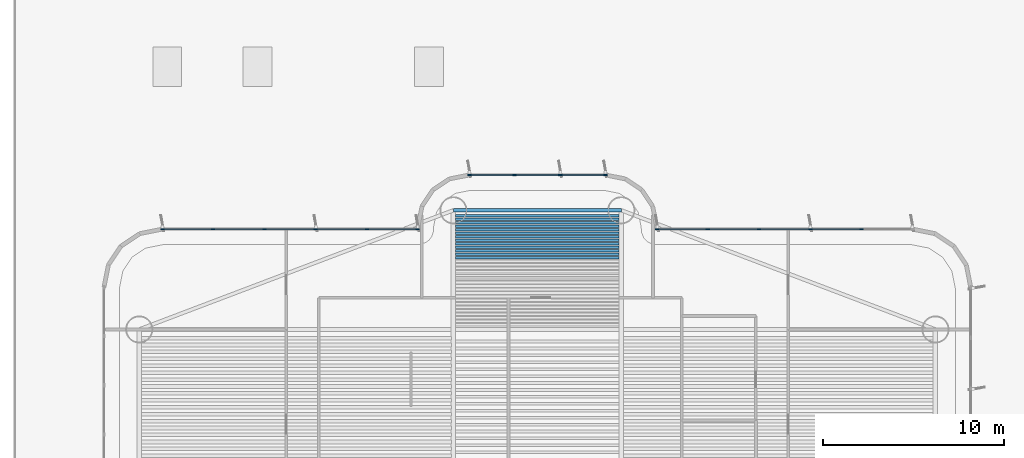
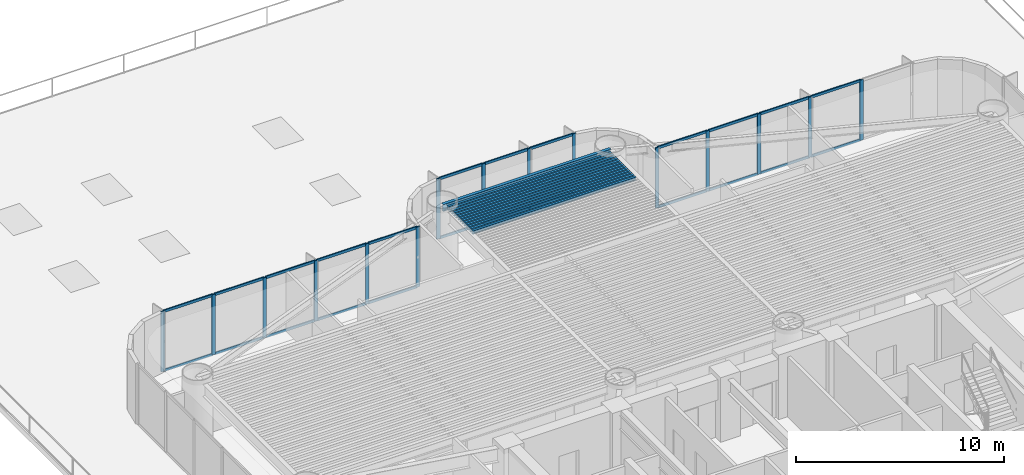
# One storey, part 7 of 17: 39 members, 14 beams, 3 elements without a shape of their own.
"""IFC4 building model written with IfcOpenShell, lengths in metres."""

from ifc_helpers import new_model, si_unit, direction, frame, origin, origin_2d, place, context, subcontext, project, spatial, rectangle, i_section, extrude, source, transform, mapped, material, layer, layer_set, material_profile, profile_set, type_object, element, aggregate, save


model = new_model("IFC4")

# Units and contexts
model_context = context("Model", 3, precision=1e-05, world=origin(), true_north=direction((0.0, 1.0)))
body_context = subcontext(model_context, "Body", "Model", "MODEL_VIEW")
ifc_project = project(units=[si_unit("LENGTHUNIT", "METRE"), si_unit("AREAUNIT", "SQUARE_METRE"), si_unit("VOLUMEUNIT", "CUBIC_METRE"), si_unit("PLANEANGLEUNIT", "RADIAN"), si_unit("MASSUNIT", "GRAM", prefix="KILO")], contexts=[model_context])

# Site, building, storey
site_placement = place(None, origin())
site = spatial("IfcSite", under=ifc_project, at=site_placement, CompositionType="ELEMENT")
building_placement = place(site_placement, origin())
building = spatial("IfcBuilding", under=site, at=building_placement, Name="Brelvock Crest Care Tower", CompositionType="ELEMENT")
storey_placement = place(building_placement, frame((0.0, 0.0, 27.0)))
storey = spatial("IfcBuildingStorey", under=building, at=storey_placement, Name="L06", CompositionType="ELEMENT", Elevation=27.0)

# Beams
ifc_material_1 = material(Name="Steel Grade 350", Category="steel")
ifc_material_profile_1 = material_profile(ifc_material_1, i_section(OverallWidth=0.177978515625, OverallDepth=0.406005859375, WebThickness=0.0078125, FlangeThickness=0.0126953125, FilletRadius=0.011474609375, at=origin_2d()), Name="410UB59.7")
ifc_profile_set_1 = profile_set([ifc_material_profile_1], Name="Steel Grade 350")
beam_type_1 = type_object("IfcBeamType", Name="BM-SP1", PredefinedType="SPANDREL", material=ifc_profile_set_1)
shared_shape_1 = source(origin(), body_context, "Body", "SweptSolid", [
    extrude(i_section(OverallWidth=0.177978515625, OverallDepth=0.406005859375, WebThickness=0.0078125, FlangeThickness=0.0126953125, FilletRadius=0.011474609375, at=origin_2d()), origin(), (0.0, 0.0, 1.0), 9.2998046875),
])
beam_placement = place(storey_placement, frame((31.35009765625, 37.050048828125, 3.326904296875), z_axis=(1.0, 0.0, 0.0), x_axis=(0.0, 1.0, 0.0)))
element("IfcBeam", 1, at=beam_placement, inside=storey, type_object=beam_type_1, Name="BM-TWR-L06-08", PredefinedType="SPANDREL", context=body_context, shape_type="MappedRepresentation", body=[
    mapped(shared_shape_1, transform((0.0, 0.0, 0.0), x_axis=(1.0, 0.0, 0.0), y_axis=(0.0, 1.0, 0.0), z_axis=(0.0, 0.0, 1.0), scale=1.0)),
])
ifc_material_profile_2 = material_profile(ifc_material_1, i_section(OverallWidth=0.134033203125, OverallDepth=0.20703125, WebThickness=0.00634765625, FlangeThickness=0.009521484375, FilletRadius=0.0087890625, at=origin_2d()), Name="200UB29.8")
ifc_profile_set_2 = profile_set([ifc_material_profile_2], Name="Steel Grade 350")
beam_type_2 = type_object("IfcBeamType", Name="BM-J4", PredefinedType="JOIST", material=ifc_profile_set_2)
shared_shape_2 = source(origin(), body_context, "Body", "SweptSolid", [
    extrude(i_section(OverallWidth=0.134033203125, OverallDepth=0.20703125, WebThickness=0.00634765625, FlangeThickness=0.009521484375, FilletRadius=0.0087890625, at=origin_2d()), origin(), (0.0, 0.0, 1.0), 9.06982421875),
])
for number, where, z_axis, x_axis, name in (
    (2, (31.465087890625, 34.413330078125, 3.426513671875), (1.0, 0.0, 0.0), (0.0, 1.0, 0.0), "BM-JN-L06-20"),
    (3, (31.465087890625, 34.60791015625, 3.426513671875), (1.0, 0.0, 0.0), (0.0, 1.0, 0.0), "BM-JN-L06-21"),
    (4, (31.465087890625, 34.802734375, 3.426513671875), (1.0, 0.0, 0.0), (0.0, 1.0, 0.0), "BM-JN-L06-22"),
    (5, (31.465087890625, 34.997314453125, 3.426513671875), (1.0, 0.0, 0.0), (0.0, 1.0, 0.0), "BM-JN-L06-23"),
    (6, (31.465087890625, 35.192138671875, 3.426513671875), (1.0, 0.0, 0.0), (0.0, 1.0, 0.0), "BM-JN-L06-24"),
    (7, (31.465087890625, 35.38671875, 3.426513671875), (1.0, 0.0, 0.0), (0.0, 1.0, 0.0), "BM-JN-L06-25"),
    (8, (31.465087890625, 35.58154296875, 3.426513671875), (1.0, 0.0, 0.0), (0.0, 1.0, 0.0), "BM-JN-L06-26"),
    (9, (31.465087890625, 35.776123046875, 3.426513671875), (1.0, 0.0, 0.0), (0.0, 1.0, 0.0), "BM-JN-L06-27"),
    (10, (31.465087890625, 35.970947265625, 3.426513671875), (1.0, 0.0, 0.0), (0.0, 1.0, 0.0), "BM-JN-L06-28"),
    (11, (31.465087890625, 36.16552734375, 3.426513671875), (1.0, 0.0, 0.0), (0.0, 1.0, 0.0), "BM-JN-L06-29"),
    (12, (31.465087890625, 36.3603515625, 3.426513671875), (1.0, 0.0, 0.0), (0.0, 1.0, 0.0), "BM-JN-L06-30"),
    (13, (31.465087890625, 36.554931640625, 3.426513671875), (1.0, 0.0, 0.0), (0.0, 1.0, 0.0), "BM-JN-L06-31"),
    (14, (31.465087890625, 36.749755859375, 3.426513671875), (1.0, 0.0, 0.0), (0.0, 1.0, 0.0), "BM-JN-L06-32"),
):
    element("IfcBeam", number, at=place(storey_placement, frame(where, z_axis=z_axis, x_axis=x_axis)), inside=storey, type_object=beam_type_2, Name=name, PredefinedType="JOIST", context=body_context, shape_type="MappedRepresentation", body=[
        mapped(shared_shape_2, transform((0.0, 0.0, 0.0), x_axis=(1.0, 0.0, 0.0), y_axis=(0.0, 1.0, 0.0), z_axis=(0.0, 0.0, 1.0), scale=1.0)),
    ])

# Curtain wall, members
ifc_material_2 = material(Name="Dark Glass Double Glazed Low-E", Category="glass")
ifc_layer = layer(ifc_material_2, 0.195068359375, Name="CWS-2")
ifc_layer_set = layer_set([ifc_layer], Name="Dark Glass Double Glazed Low-E")
curtain_wall_type = type_object("IfcCurtainWallType", Name="CWS-2", PredefinedType="NOTDEFINED", material=ifc_layer_set)
curtain_wall_1_placement = place(storey_placement, origin())
curtain_wall_1 = element("IfcCurtainWall", 15, at=curtain_wall_1_placement, inside=storey, type_object=curtain_wall_type, Name="L06 Curtain Wall E18", PredefinedType="NOTDEFINED")
ifc_material_3 = material(Name="Aluminium 6063-T6", Category="aluminium")
ifc_material_profile_3 = material_profile(ifc_material_3, rectangle(XDim=0.06494140625, YDim=0.199951171875, at=origin_2d()), Name="ALU65x200")
ifc_profile_set_3 = profile_set([ifc_material_profile_3], Name="Aluminium 6063-T6")
member_type_1 = type_object("IfcMemberType", Name="CWM-1", PredefinedType="MULLION", material=ifc_profile_set_3)
shared_shape_3 = source(origin(), body_context, "Body", "SweptSolid", [
    extrude(rectangle(XDim=0.06494140625, YDim=0.199951171875, at=origin_2d()), origin(), (0.0, 0.0, 1.0), 3.530029296875),
])
member_1_placement = place(storey_placement, frame((15.232421875, 36.0, 0.0), z_axis=(0.0, 0.0, 1.0), x_axis=(0.0, 1.0, 0.0)))
member_1 = element("IfcMember", 16, at=member_1_placement, type_object=member_type_1, Name="CW-2 mullion 1", PredefinedType="MULLION", context=body_context, shape_type="MappedRepresentation", body=[
    mapped(shared_shape_3, transform((0.0, 0.0, 0.0), x_axis=(1.0, 0.0, 0.0), y_axis=(0.0, 1.0, 0.0), z_axis=(0.0, 0.0, 1.0), scale=1.0)),
])
member_2_placement = place(storey_placement, frame((18.0400390625, 36.0, 0.0), z_axis=(0.0, 0.0, 1.0), x_axis=(0.0, 1.0, 0.0)))
member_2 = element("IfcMember", 17, at=member_2_placement, type_object=member_type_1, Name="CW-2 mullion 2", PredefinedType="MULLION", context=body_context, shape_type="MappedRepresentation", body=[
    mapped(shared_shape_3, transform((0.0, 0.0, 0.0), x_axis=(1.0, 0.0, 0.0), y_axis=(0.0, 1.0, 0.0), z_axis=(0.0, 0.0, 1.0), scale=1.0)),
])
member_3_placement = place(storey_placement, frame((20.8798828125, 36.0, 0.0), z_axis=(0.0, 0.0, 1.0), x_axis=(0.0, 1.0, 0.0)))
member_3 = element("IfcMember", 18, at=member_3_placement, type_object=member_type_1, Name="CW-2 mullion 3", PredefinedType="MULLION", context=body_context, shape_type="MappedRepresentation", body=[
    mapped(shared_shape_3, transform((0.0, 0.0, 0.0), x_axis=(1.0, 0.0, 0.0), y_axis=(0.0, 1.0, 0.0), z_axis=(0.0, 0.0, 1.0), scale=1.0)),
])
member_4_placement = place(storey_placement, frame((23.719970703125, 36.0, 0.0), z_axis=(0.0, 0.0, 1.0), x_axis=(0.0, 1.0, 0.0)))
member_4 = element("IfcMember", 19, at=member_4_placement, type_object=member_type_1, Name="CW-2 mullion 4", PredefinedType="MULLION", context=body_context, shape_type="MappedRepresentation", body=[
    mapped(shared_shape_3, transform((0.0, 0.0, 0.0), x_axis=(1.0, 0.0, 0.0), y_axis=(0.0, 1.0, 0.0), z_axis=(0.0, 0.0, 1.0), scale=1.0)),
])
member_5_placement = place(storey_placement, frame((26.56005859375, 36.0, 0.0), z_axis=(0.0, 0.0, 1.0), x_axis=(0.0, 1.0, 0.0)))
member_5 = element("IfcMember", 20, at=member_5_placement, type_object=member_type_1, Name="CW-2 mullion 5", PredefinedType="MULLION", context=body_context, shape_type="MappedRepresentation", body=[
    mapped(shared_shape_3, transform((0.0, 0.0, 0.0), x_axis=(1.0, 0.0, 0.0), y_axis=(0.0, 1.0, 0.0), z_axis=(0.0, 0.0, 1.0), scale=1.0)),
])
member_6_placement = place(storey_placement, frame((29.367431640625, 36.0, 0.0), z_axis=(0.0, 0.0, 1.0), x_axis=(0.0, 1.0, 0.0)))
member_6 = element("IfcMember", 21, at=member_6_placement, type_object=member_type_1, Name="CW-2 mullion 6", PredefinedType="MULLION", context=body_context, shape_type="MappedRepresentation", body=[
    mapped(shared_shape_3, transform((0.0, 0.0, 0.0), x_axis=(1.0, 0.0, 0.0), y_axis=(0.0, 1.0, 0.0), z_axis=(0.0, 0.0, 1.0), scale=1.0)),
])

curtain_wall_2_placement = place(storey_placement, origin())
curtain_wall_2 = element("IfcCurtainWall", 22, at=curtain_wall_2_placement, inside=storey, type_object=curtain_wall_type, Name="L06 Curtain Wall E24", PredefinedType="NOTDEFINED")
member_7_placement = place(storey_placement, frame((32.232421875, 39.0, 0.0), z_axis=(0.0, 0.0, 1.0), x_axis=(0.0, 1.0, 0.0)))
member_7 = element("IfcMember", 23, at=member_7_placement, type_object=member_type_1, Name="CW-2 mullion 1", PredefinedType="MULLION", context=body_context, shape_type="MappedRepresentation", body=[
    mapped(shared_shape_3, transform((0.0, 0.0, 0.0), x_axis=(1.0, 0.0, 0.0), y_axis=(0.0, 1.0, 0.0), z_axis=(0.0, 0.0, 1.0), scale=1.0)),
])
member_8_placement = place(storey_placement, frame((34.7333984375, 39.0, 0.0), z_axis=(0.0, 0.0, 1.0), x_axis=(0.0, 1.0, 0.0)))
member_8 = element("IfcMember", 24, at=member_8_placement, type_object=member_type_1, Name="CW-2 mullion 2", PredefinedType="MULLION", context=body_context, shape_type="MappedRepresentation", body=[
    mapped(shared_shape_3, transform((0.0, 0.0, 0.0), x_axis=(1.0, 0.0, 0.0), y_axis=(0.0, 1.0, 0.0), z_axis=(0.0, 0.0, 1.0), scale=1.0)),
])
member_9_placement = place(storey_placement, frame((37.2666015625, 39.0, 0.0), z_axis=(0.0, 0.0, 1.0), x_axis=(0.0, 1.0, 0.0)))
member_9 = element("IfcMember", 25, at=member_9_placement, type_object=member_type_1, Name="CW-2 mullion 3", PredefinedType="MULLION", context=body_context, shape_type="MappedRepresentation", body=[
    mapped(shared_shape_3, transform((0.0, 0.0, 0.0), x_axis=(1.0, 0.0, 0.0), y_axis=(0.0, 1.0, 0.0), z_axis=(0.0, 0.0, 1.0), scale=1.0)),
])
member_10_placement = place(storey_placement, frame((39.767578125, 39.0, 0.0), z_axis=(0.0, 0.0, 1.0), x_axis=(0.0, 1.0, 0.0)))
member_10 = element("IfcMember", 26, at=member_10_placement, type_object=member_type_1, Name="CW-2 mullion 4", PredefinedType="MULLION", context=body_context, shape_type="MappedRepresentation", body=[
    mapped(shared_shape_3, transform((0.0, 0.0, 0.0), x_axis=(1.0, 0.0, 0.0), y_axis=(0.0, 1.0, 0.0), z_axis=(0.0, 0.0, 1.0), scale=1.0)),
])

curtain_wall_3_placement = place(storey_placement, origin())
curtain_wall_3 = element("IfcCurtainWall", 27, at=curtain_wall_3_placement, inside=storey, type_object=curtain_wall_type, Name="L06 Curtain Wall E30", PredefinedType="NOTDEFINED")
member_11_placement = place(storey_placement, frame((42.632568359375, 36.0, 0.0), z_axis=(0.0, 0.0, 1.0), x_axis=(0.0, 1.0, 0.0)))
member_11 = element("IfcMember", 28, at=member_11_placement, type_object=member_type_1, Name="CW-2 mullion 1", PredefinedType="MULLION", context=body_context, shape_type="MappedRepresentation", body=[
    mapped(shared_shape_3, transform((0.0, 0.0, 0.0), x_axis=(1.0, 0.0, 0.0), y_axis=(0.0, 1.0, 0.0), z_axis=(0.0, 0.0, 1.0), scale=1.0)),
])
member_12_placement = place(storey_placement, frame((45.43994140625, 36.0, 0.0), z_axis=(0.0, 0.0, 1.0), x_axis=(0.0, 1.0, 0.0)))
member_12 = element("IfcMember", 29, at=member_12_placement, type_object=member_type_1, Name="CW-2 mullion 2", PredefinedType="MULLION", context=body_context, shape_type="MappedRepresentation", body=[
    mapped(shared_shape_3, transform((0.0, 0.0, 0.0), x_axis=(1.0, 0.0, 0.0), y_axis=(0.0, 1.0, 0.0), z_axis=(0.0, 0.0, 1.0), scale=1.0)),
])
member_13_placement = place(storey_placement, frame((48.280029296875, 36.0, 0.0), z_axis=(0.0, 0.0, 1.0), x_axis=(0.0, 1.0, 0.0)))
member_13 = element("IfcMember", 30, at=member_13_placement, type_object=member_type_1, Name="CW-2 mullion 3", PredefinedType="MULLION", context=body_context, shape_type="MappedRepresentation", body=[
    mapped(shared_shape_3, transform((0.0, 0.0, 0.0), x_axis=(1.0, 0.0, 0.0), y_axis=(0.0, 1.0, 0.0), z_axis=(0.0, 0.0, 1.0), scale=1.0)),
])
member_14_placement = place(storey_placement, frame((51.1201171875, 36.0, 0.0), z_axis=(0.0, 0.0, 1.0), x_axis=(0.0, 1.0, 0.0)))
member_14 = element("IfcMember", 31, at=member_14_placement, type_object=member_type_1, Name="CW-2 mullion 4", PredefinedType="MULLION", context=body_context, shape_type="MappedRepresentation", body=[
    mapped(shared_shape_3, transform((0.0, 0.0, 0.0), x_axis=(1.0, 0.0, 0.0), y_axis=(0.0, 1.0, 0.0), z_axis=(0.0, 0.0, 1.0), scale=1.0)),
])
member_15_placement = place(storey_placement, frame((53.9599609375, 36.0, 0.0), z_axis=(0.0, 0.0, 1.0), x_axis=(0.0, 1.0, 0.0)))
member_15 = element("IfcMember", 32, at=member_15_placement, type_object=member_type_1, Name="CW-2 mullion 5", PredefinedType="MULLION", context=body_context, shape_type="MappedRepresentation", body=[
    mapped(shared_shape_3, transform((0.0, 0.0, 0.0), x_axis=(1.0, 0.0, 0.0), y_axis=(0.0, 1.0, 0.0), z_axis=(0.0, 0.0, 1.0), scale=1.0)),
])

# Member
ifc_material_profile_4 = material_profile(ifc_material_3, rectangle(XDim=0.06494140625, YDim=0.14990234375, at=origin_2d()), Name="ALU65x150")
ifc_profile_set_4 = profile_set([ifc_material_profile_4], Name="Aluminium 6063-T6")
member_type_2 = type_object("IfcMemberType", Name="CWT-1", PredefinedType="USERDEFINED", material=ifc_profile_set_4)
shared_shape_4 = source(origin(), body_context, "Body", "SweptSolid", [
    extrude(rectangle(XDim=0.06494140625, YDim=0.14990234375, at=origin_2d()), origin(), (0.0, 0.0, 1.0), 2.74267578125),
])
member_16_placement = place(storey_placement, frame((15.264892578125, 36.0, 0.032470703125), z_axis=(1.0, 0.0, 0.0), x_axis=(0.0, 1.0, 0.0)))
member_16 = element("IfcMember", 33, at=member_16_placement, type_object=member_type_2, Name="CW-2 transom 1.1", ObjectType="TRANSOM", PredefinedType="USERDEFINED", context=body_context, shape_type="MappedRepresentation", body=[
    mapped(shared_shape_4, transform((0.0, 0.0, 0.0), x_axis=(1.0, 0.0, 0.0), y_axis=(0.0, 1.0, 0.0), z_axis=(0.0, 0.0, 1.0), scale=1.0)),
])

member_17_placement = place(storey_placement, frame((15.264892578125, 36.0, 3.49755859375), z_axis=(1.0, 0.0, 0.0), x_axis=(0.0, 1.0, 0.0)))
member_17 = element("IfcMember", 34, at=member_17_placement, type_object=member_type_2, Name="CW-2 transom 1.2", ObjectType="TRANSOM", PredefinedType="USERDEFINED", context=body_context, shape_type="MappedRepresentation", body=[
    mapped(shared_shape_4, transform((0.0, 0.0, 0.0), x_axis=(1.0, 0.0, 0.0), y_axis=(0.0, 1.0, 0.0), z_axis=(0.0, 0.0, 1.0), scale=1.0)),
])

shared_shape_5 = source(origin(), body_context, "Body", "SweptSolid", [
    extrude(rectangle(XDim=0.06494140625, YDim=0.14990234375, at=origin_2d()), origin(), (0.0, 0.0, 1.0), 2.77490234375),
])
member_18_placement = place(storey_placement, frame((18.072509765625, 36.0, 0.032470703125), z_axis=(1.0, 0.0, 0.0), x_axis=(0.0, 1.0, 0.0)))
member_18 = element("IfcMember", 35, at=member_18_placement, type_object=member_type_2, Name="CW-2 transom 2.1", ObjectType="TRANSOM", PredefinedType="USERDEFINED", context=body_context, shape_type="MappedRepresentation", body=[
    mapped(shared_shape_5, transform((0.0, 0.0, 0.0), x_axis=(1.0, 0.0, 0.0), y_axis=(0.0, 1.0, 0.0), z_axis=(0.0, 0.0, 1.0), scale=1.0)),
])

member_19_placement = place(storey_placement, frame((18.072509765625, 36.0, 3.49755859375), z_axis=(1.0, 0.0, 0.0), x_axis=(0.0, 1.0, 0.0)))
member_19 = element("IfcMember", 36, at=member_19_placement, type_object=member_type_2, Name="CW-2 transom 2.2", ObjectType="TRANSOM", PredefinedType="USERDEFINED", context=body_context, shape_type="MappedRepresentation", body=[
    mapped(shared_shape_5, transform((0.0, 0.0, 0.0), x_axis=(1.0, 0.0, 0.0), y_axis=(0.0, 1.0, 0.0), z_axis=(0.0, 0.0, 1.0), scale=1.0)),
])

member_20_placement = place(storey_placement, frame((20.91259765625, 36.0, 0.032470703125), z_axis=(1.0, 0.0, 0.0), x_axis=(0.0, 1.0, 0.0)))
member_20 = element("IfcMember", 37, at=member_20_placement, type_object=member_type_2, Name="CW-2 transom 3.1", ObjectType="TRANSOM", PredefinedType="USERDEFINED", context=body_context, shape_type="MappedRepresentation", body=[
    mapped(shared_shape_5, transform((0.0, 0.0, 0.0), x_axis=(1.0, 0.0, 0.0), y_axis=(0.0, 1.0, 0.0), z_axis=(0.0, 0.0, 1.0), scale=1.0)),
])

member_21_placement = place(storey_placement, frame((20.91259765625, 36.0, 3.49755859375), z_axis=(1.0, 0.0, 0.0), x_axis=(0.0, 1.0, 0.0)))
member_21 = element("IfcMember", 38, at=member_21_placement, type_object=member_type_2, Name="CW-2 transom 3.2", ObjectType="TRANSOM", PredefinedType="USERDEFINED", context=body_context, shape_type="MappedRepresentation", body=[
    mapped(shared_shape_5, transform((0.0, 0.0, 0.0), x_axis=(1.0, 0.0, 0.0), y_axis=(0.0, 1.0, 0.0), z_axis=(0.0, 0.0, 1.0), scale=1.0)),
])

member_22_placement = place(storey_placement, frame((48.3125, 36.0, 0.032470703125), z_axis=(1.0, 0.0, 0.0), x_axis=(0.0, 1.0, 0.0)))
member_22 = element("IfcMember", 39, at=member_22_placement, type_object=member_type_2, Name="CW-2 transom 3.1", ObjectType="TRANSOM", PredefinedType="USERDEFINED", context=body_context, shape_type="MappedRepresentation", body=[
    mapped(shared_shape_5, transform((0.0, 0.0, 0.0), x_axis=(1.0, 0.0, 0.0), y_axis=(0.0, 1.0, 0.0), z_axis=(0.0, 0.0, 1.0), scale=1.0)),
])

member_23_placement = place(storey_placement, frame((48.3125, 36.0, 3.49755859375), z_axis=(1.0, 0.0, 0.0), x_axis=(0.0, 1.0, 0.0)))
member_23 = element("IfcMember", 40, at=member_23_placement, type_object=member_type_2, Name="CW-2 transom 3.2", ObjectType="TRANSOM", PredefinedType="USERDEFINED", context=body_context, shape_type="MappedRepresentation", body=[
    mapped(shared_shape_5, transform((0.0, 0.0, 0.0), x_axis=(1.0, 0.0, 0.0), y_axis=(0.0, 1.0, 0.0), z_axis=(0.0, 0.0, 1.0), scale=1.0)),
])

member_24_placement = place(storey_placement, frame((51.152587890625, 36.0, 0.032470703125), z_axis=(1.0, 0.0, 0.0), x_axis=(0.0, 1.0, 0.0)))
member_24 = element("IfcMember", 41, at=member_24_placement, type_object=member_type_2, Name="CW-2 transom 4.1", ObjectType="TRANSOM", PredefinedType="USERDEFINED", context=body_context, shape_type="MappedRepresentation", body=[
    mapped(shared_shape_5, transform((0.0, 0.0, 0.0), x_axis=(1.0, 0.0, 0.0), y_axis=(0.0, 1.0, 0.0), z_axis=(0.0, 0.0, 1.0), scale=1.0)),
])

member_25_placement = place(storey_placement, frame((51.152587890625, 36.0, 3.49755859375), z_axis=(1.0, 0.0, 0.0), x_axis=(0.0, 1.0, 0.0)))
member_25 = element("IfcMember", 42, at=member_25_placement, type_object=member_type_2, Name="CW-2 transom 4.2", ObjectType="TRANSOM", PredefinedType="USERDEFINED", context=body_context, shape_type="MappedRepresentation", body=[
    mapped(shared_shape_5, transform((0.0, 0.0, 0.0), x_axis=(1.0, 0.0, 0.0), y_axis=(0.0, 1.0, 0.0), z_axis=(0.0, 0.0, 1.0), scale=1.0)),
])

shared_shape_6 = source(origin(), body_context, "Body", "SweptSolid", [
    extrude(rectangle(XDim=0.06494140625, YDim=0.14990234375, at=origin_2d()), origin(), (0.0, 0.0, 1.0), 2.775146484375),
])
member_26_placement = place(storey_placement, frame((23.75244140625, 36.0, 0.032470703125), z_axis=(1.0, 0.0, 0.0), x_axis=(0.0, 1.0, 0.0)))
member_26 = element("IfcMember", 43, at=member_26_placement, type_object=member_type_2, Name="CW-2 transom 4.1", ObjectType="TRANSOM", PredefinedType="USERDEFINED", context=body_context, shape_type="MappedRepresentation", body=[
    mapped(shared_shape_6, transform((0.0, 0.0, 0.0), x_axis=(1.0, 0.0, 0.0), y_axis=(0.0, 1.0, 0.0), z_axis=(0.0, 0.0, 1.0), scale=1.0)),
])

member_27_placement = place(storey_placement, frame((23.75244140625, 36.0, 3.49755859375), z_axis=(1.0, 0.0, 0.0), x_axis=(0.0, 1.0, 0.0)))
member_27 = element("IfcMember", 44, at=member_27_placement, type_object=member_type_2, Name="CW-2 transom 4.2", ObjectType="TRANSOM", PredefinedType="USERDEFINED", context=body_context, shape_type="MappedRepresentation", body=[
    mapped(shared_shape_6, transform((0.0, 0.0, 0.0), x_axis=(1.0, 0.0, 0.0), y_axis=(0.0, 1.0, 0.0), z_axis=(0.0, 0.0, 1.0), scale=1.0)),
])

member_28_placement = place(storey_placement, frame((45.472412109375, 36.0, 0.032470703125), z_axis=(1.0, 0.0, 0.0), x_axis=(0.0, 1.0, 0.0)))
member_28 = element("IfcMember", 45, at=member_28_placement, type_object=member_type_2, Name="CW-2 transom 2.1", ObjectType="TRANSOM", PredefinedType="USERDEFINED", context=body_context, shape_type="MappedRepresentation", body=[
    mapped(shared_shape_6, transform((0.0, 0.0, 0.0), x_axis=(1.0, 0.0, 0.0), y_axis=(0.0, 1.0, 0.0), z_axis=(0.0, 0.0, 1.0), scale=1.0)),
])

member_29_placement = place(storey_placement, frame((45.472412109375, 36.0, 3.49755859375), z_axis=(1.0, 0.0, 0.0), x_axis=(0.0, 1.0, 0.0)))
member_29 = element("IfcMember", 46, at=member_29_placement, type_object=member_type_2, Name="CW-2 transom 2.2", ObjectType="TRANSOM", PredefinedType="USERDEFINED", context=body_context, shape_type="MappedRepresentation", body=[
    mapped(shared_shape_6, transform((0.0, 0.0, 0.0), x_axis=(1.0, 0.0, 0.0), y_axis=(0.0, 1.0, 0.0), z_axis=(0.0, 0.0, 1.0), scale=1.0)),
])

shared_shape_7 = source(origin(), body_context, "Body", "SweptSolid", [
    extrude(rectangle(XDim=0.06494140625, YDim=0.14990234375, at=origin_2d()), origin(), (0.0, 0.0, 1.0), 2.742431640625),
])
member_30_placement = place(storey_placement, frame((26.592529296875, 36.0, 0.032470703125), z_axis=(1.0, 0.0, 0.0), x_axis=(0.0, 1.0, 0.0)))
member_30 = element("IfcMember", 47, at=member_30_placement, type_object=member_type_2, Name="CW-2 transom 5.1", ObjectType="TRANSOM", PredefinedType="USERDEFINED", context=body_context, shape_type="MappedRepresentation", body=[
    mapped(shared_shape_7, transform((0.0, 0.0, 0.0), x_axis=(1.0, 0.0, 0.0), y_axis=(0.0, 1.0, 0.0), z_axis=(0.0, 0.0, 1.0), scale=1.0)),
])

member_31_placement = place(storey_placement, frame((26.592529296875, 36.0, 3.49755859375), z_axis=(1.0, 0.0, 0.0), x_axis=(0.0, 1.0, 0.0)))
member_31 = element("IfcMember", 48, at=member_31_placement, type_object=member_type_2, Name="CW-2 transom 5.2", ObjectType="TRANSOM", PredefinedType="USERDEFINED", context=body_context, shape_type="MappedRepresentation", body=[
    mapped(shared_shape_7, transform((0.0, 0.0, 0.0), x_axis=(1.0, 0.0, 0.0), y_axis=(0.0, 1.0, 0.0), z_axis=(0.0, 0.0, 1.0), scale=1.0)),
])

aggregate(curtain_wall_1, [member_1, member_2, member_3, member_4, member_5, member_6, member_16, member_17, member_18, member_19, member_20, member_21, member_26, member_27, member_30, member_31])

member_32_placement = place(storey_placement, frame((42.6650390625, 36.0, 0.032470703125), z_axis=(1.0, 0.0, 0.0), x_axis=(0.0, 1.0, 0.0)))
member_32 = element("IfcMember", 49, at=member_32_placement, type_object=member_type_2, Name="CW-2 transom 1.1", ObjectType="TRANSOM", PredefinedType="USERDEFINED", context=body_context, shape_type="MappedRepresentation", body=[
    mapped(shared_shape_7, transform((0.0, 0.0, 0.0), x_axis=(1.0, 0.0, 0.0), y_axis=(0.0, 1.0, 0.0), z_axis=(0.0, 0.0, 1.0), scale=1.0)),
])

member_33_placement = place(storey_placement, frame((42.6650390625, 36.0, 3.49755859375), z_axis=(1.0, 0.0, 0.0), x_axis=(0.0, 1.0, 0.0)))
member_33 = element("IfcMember", 50, at=member_33_placement, type_object=member_type_2, Name="CW-2 transom 1.2", ObjectType="TRANSOM", PredefinedType="USERDEFINED", context=body_context, shape_type="MappedRepresentation", body=[
    mapped(shared_shape_7, transform((0.0, 0.0, 0.0), x_axis=(1.0, 0.0, 0.0), y_axis=(0.0, 1.0, 0.0), z_axis=(0.0, 0.0, 1.0), scale=1.0)),
])

aggregate(curtain_wall_3, [member_11, member_12, member_13, member_14, member_15, member_32, member_33, member_28, member_29, member_22, member_23, member_24, member_25])

shared_shape_8 = source(origin(), body_context, "Body", "SweptSolid", [
    extrude(rectangle(XDim=0.06494140625, YDim=0.14990234375, at=origin_2d()), origin(), (0.0, 0.0, 1.0), 2.43603515625),
])
member_34_placement = place(storey_placement, frame((32.264892578125, 39.0, 0.032470703125), z_axis=(1.0, 0.0, 0.0), x_axis=(0.0, 1.0, 0.0)))
member_34 = element("IfcMember", 51, at=member_34_placement, type_object=member_type_2, Name="CW-2 transom 1.1", ObjectType="TRANSOM", PredefinedType="USERDEFINED", context=body_context, shape_type="MappedRepresentation", body=[
    mapped(shared_shape_8, transform((0.0, 0.0, 0.0), x_axis=(1.0, 0.0, 0.0), y_axis=(0.0, 1.0, 0.0), z_axis=(0.0, 0.0, 1.0), scale=1.0)),
])

member_35_placement = place(storey_placement, frame((32.264892578125, 39.0, 3.49755859375), z_axis=(1.0, 0.0, 0.0), x_axis=(0.0, 1.0, 0.0)))
member_35 = element("IfcMember", 52, at=member_35_placement, type_object=member_type_2, Name="CW-2 transom 1.2", ObjectType="TRANSOM", PredefinedType="USERDEFINED", context=body_context, shape_type="MappedRepresentation", body=[
    mapped(shared_shape_8, transform((0.0, 0.0, 0.0), x_axis=(1.0, 0.0, 0.0), y_axis=(0.0, 1.0, 0.0), z_axis=(0.0, 0.0, 1.0), scale=1.0)),
])

member_36_placement = place(storey_placement, frame((37.299072265625, 39.0, 0.032470703125), z_axis=(1.0, 0.0, 0.0), x_axis=(0.0, 1.0, 0.0)))
member_36 = element("IfcMember", 53, at=member_36_placement, type_object=member_type_2, Name="CW-2 transom 3.1", ObjectType="TRANSOM", PredefinedType="USERDEFINED", context=body_context, shape_type="MappedRepresentation", body=[
    mapped(shared_shape_8, transform((0.0, 0.0, 0.0), x_axis=(1.0, 0.0, 0.0), y_axis=(0.0, 1.0, 0.0), z_axis=(0.0, 0.0, 1.0), scale=1.0)),
])

member_37_placement = place(storey_placement, frame((37.299072265625, 39.0, 3.49755859375), z_axis=(1.0, 0.0, 0.0), x_axis=(0.0, 1.0, 0.0)))
member_37 = element("IfcMember", 54, at=member_37_placement, type_object=member_type_2, Name="CW-2 transom 3.2", ObjectType="TRANSOM", PredefinedType="USERDEFINED", context=body_context, shape_type="MappedRepresentation", body=[
    mapped(shared_shape_8, transform((0.0, 0.0, 0.0), x_axis=(1.0, 0.0, 0.0), y_axis=(0.0, 1.0, 0.0), z_axis=(0.0, 0.0, 1.0), scale=1.0)),
])

shared_shape_9 = source(origin(), body_context, "Body", "SweptSolid", [
    extrude(rectangle(XDim=0.06494140625, YDim=0.14990234375, at=origin_2d()), origin(), (0.0, 0.0, 1.0), 2.46826171875),
])
member_38_placement = place(storey_placement, frame((34.765869140625, 39.0, 0.032470703125), z_axis=(1.0, 0.0, 0.0), x_axis=(0.0, 1.0, 0.0)))
member_38 = element("IfcMember", 55, at=member_38_placement, type_object=member_type_2, Name="CW-2 transom 2.1", ObjectType="TRANSOM", PredefinedType="USERDEFINED", context=body_context, shape_type="MappedRepresentation", body=[
    mapped(shared_shape_9, transform((0.0, 0.0, 0.0), x_axis=(1.0, 0.0, 0.0), y_axis=(0.0, 1.0, 0.0), z_axis=(0.0, 0.0, 1.0), scale=1.0)),
])

member_39_placement = place(storey_placement, frame((34.765869140625, 39.0, 3.49755859375), z_axis=(1.0, 0.0, 0.0), x_axis=(0.0, 1.0, 0.0)))
member_39 = element("IfcMember", 56, at=member_39_placement, type_object=member_type_2, Name="CW-2 transom 2.2", ObjectType="TRANSOM", PredefinedType="USERDEFINED", context=body_context, shape_type="MappedRepresentation", body=[
    mapped(shared_shape_9, transform((0.0, 0.0, 0.0), x_axis=(1.0, 0.0, 0.0), y_axis=(0.0, 1.0, 0.0), z_axis=(0.0, 0.0, 1.0), scale=1.0)),
])

aggregate(curtain_wall_2, [member_7, member_8, member_9, member_10, member_34, member_35, member_38, member_39, member_36, member_37])

save(model, "model.ifc")
